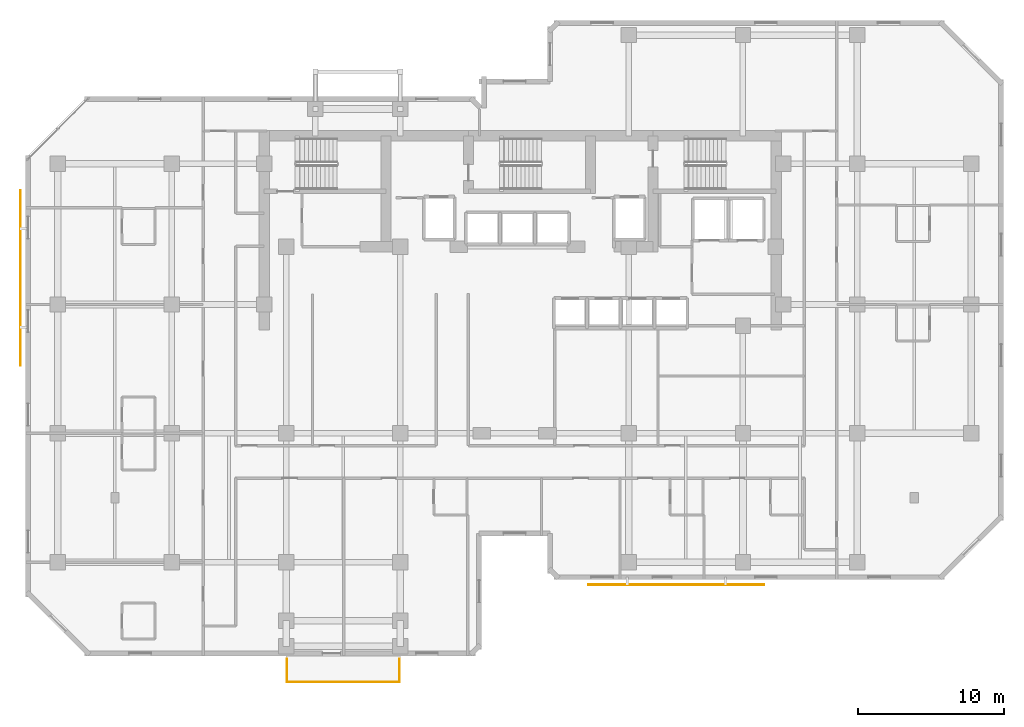
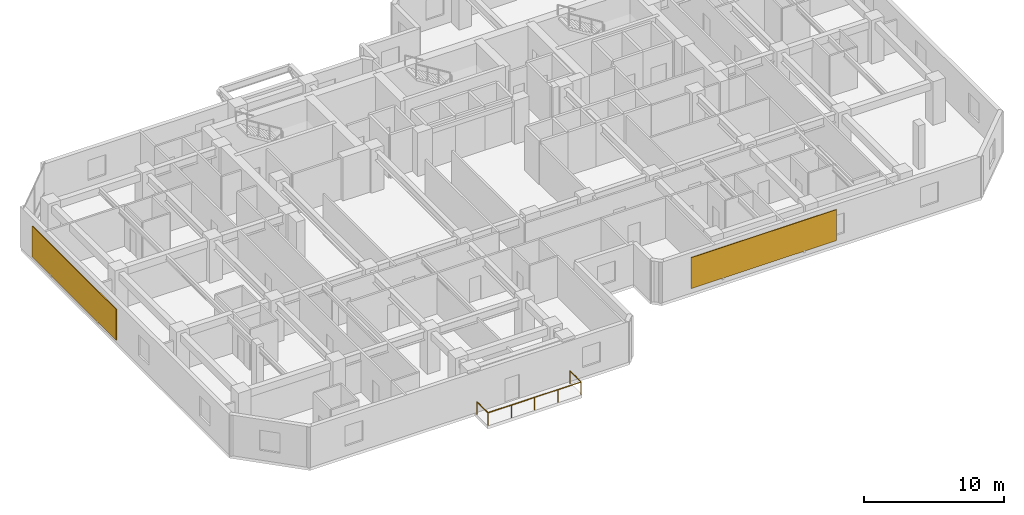
# One storey, part 10 of 11: 2 railings, 2 shading devices.
"""IFC4 building model written with IfcOpenShell, lengths in metres."""

import ifcopenshell
import ifcopenshell.guid

model = None  # the IFC model being written
_history = None  # IfcOwnerHistory: only IFC2X3 demands one
_inside = {}  # id of a spatial element -> (the spatial element, [elements in it])
_under = {}  # id of a project, library or spatial element -> (it, [spatial elements below it])
_declared = {}  # id of a project -> (the project, [libraries it declares])
_typed = {}  # id of a type object -> (the type object, [elements of that type])
_made_of = {}  # id of a material, layer set ... -> (it, [elements and type objects made of it])


def new_model(schema):
    """Start an empty IFC model of exactly this schema.

    Asked for "IFC4X3", IfcOpenShell would pick the latest addendum, in which some entities
    have other attributes; the version numbers below select the first issue.
    IFC2X3 requires an IfcOwnerHistory on every rooted entity: one is made here for all.
    """
    global model, _history
    if schema == "IFC4X3":
        model = ifcopenshell.file(schema_version=(4, 3, 0, 0))
    else:
        model = ifcopenshell.file(schema=schema)
    _inside.clear()
    _under.clear()
    _declared.clear()
    _typed.clear()
    _made_of.clear()
    _history = None
    if model.schema == "IFC2X3":
        org = make("IfcOrganization", Name="unknown")
        user = make(
            "IfcPersonAndOrganization",
            ThePerson=make("IfcPerson", FamilyName="unknown"),
            TheOrganization=org,
        )
        app = make(
            "IfcApplication",
            ApplicationDeveloper=org,
            Version="unknown",
            ApplicationFullName="unknown",
            ApplicationIdentifier="unknown",
        )
        _history = make(
            "IfcOwnerHistory",
            OwningUser=user,
            OwningApplication=app,
            ChangeAction="ADDED",
            CreationDate=0,
        )
    return model


def make(cls, **values):
    """One entity of the class cls with the attributes given. An attribute that is None is left unset."""
    return model.create_entity(
        cls, **{name: value for name, value in values.items() if value is not None}
    )


def rooted(cls, **values):
    """An entity with a GlobalId (a new one), such as an element, a storey or a relation."""
    return make(cls, GlobalId=ifcopenshell.guid.new(), OwnerHistory=_history, **values)


def si_unit(unit_type, name, prefix=None):
    """IfcSIUnit, for example si_unit("LENGTHUNIT", "METRE", prefix="MILLI")."""
    return make("IfcSIUnit", UnitType=unit_type, Prefix=prefix, Name=name)


def assignment(units):
    """IfcUnitAssignment: the units of a project."""
    return None if units is None else make("IfcUnitAssignment", Units=units)


def point(xyz):
    """IfcCartesianPoint."""
    return None if xyz is None else make("IfcCartesianPoint", Coordinates=xyz)


def direction(xyz):
    """IfcDirection."""
    return None if xyz is None else make("IfcDirection", DirectionRatios=xyz)


def frame(location, z_axis=None, x_axis=None):
    """IfcAxis2Placement3D, a coordinate frame: its origin and axes. An axis left out is left unset."""
    return make(
        "IfcAxis2Placement3D",
        Location=point(location),
        Axis=direction(z_axis),
        RefDirection=direction(x_axis),
    )


def frame_2d(location, x_axis=None):
    """IfcAxis2Placement2D, a coordinate frame in the plane: its origin and x axis."""
    return make(
        "IfcAxis2Placement2D", Location=point(location), RefDirection=direction(x_axis)
    )


def origin():
    """The frame at (0, 0, 0) with its axes left unset."""
    return frame((0.0, 0.0, 0.0))


def origin_2d():
    """The frame at (0, 0) in the plane with its x axis left unset."""
    return frame_2d((0.0, 0.0))


def place(relative_to, where):
    """IfcLocalPlacement: puts the frame where relative to a parent placement (None: the world)."""
    return make(
        "IfcLocalPlacement", PlacementRelTo=relative_to, RelativePlacement=where
    )


def context(
    kind, dimensions, precision=None, world=None, true_north=None, identifier=None
):
    """IfcGeometricRepresentationContext, for example the 3D "Model" context."""
    return make(
        "IfcGeometricRepresentationContext",
        ContextIdentifier=identifier,
        ContextType=kind,
        CoordinateSpaceDimension=dimensions,
        Precision=precision,
        WorldCoordinateSystem=world,
        TrueNorth=true_north,
    )


def subcontext(parent, identifier, kind, view, scale=None):
    """IfcGeometricRepresentationSubContext, for example "Body" below "Model"."""
    return make(
        "IfcGeometricRepresentationSubContext",
        ContextIdentifier=identifier,
        ContextType=kind,
        ParentContext=parent,
        TargetScale=scale,
        TargetView=view,
    )


def project(units=None, contexts=None):
    """IfcProject with its units and contexts."""
    return rooted(
        "IfcProject",
        Name="project",
        RepresentationContexts=contexts,
        UnitsInContext=assignment(units),
    )


def spatial(cls, under=None, at=None, **own):
    """A site, building, storey or space (cls), placed at a placement, below another one or the project."""
    s = rooted(cls, ObjectPlacement=at, **own)
    if under is not None:
        _under.setdefault(under.id(), (under, []))[1].append(s)
    return s


def profile(cls, at=None, kind="AREA", **sizes):
    """A parametric profile (cls). Its sizes go by their IFC names, for example OverallWidth=200.0."""
    return make(cls, ProfileType=kind, Position=at, **sizes)


def rectangle(**sizes):
    """IfcRectangleProfileDef."""
    return profile("IfcRectangleProfileDef", **sizes)


def circle(**sizes):
    """IfcCircleProfileDef."""
    return profile("IfcCircleProfileDef", **sizes)


def extrude(swept, where, along, depth):
    """IfcExtrudedAreaSolid: the profile swept, set in the frame where, extruded along a direction by depth."""
    return make(
        "IfcExtrudedAreaSolid",
        SweptArea=swept,
        Position=where,
        ExtrudedDirection=direction(along),
        Depth=depth,
    )


def shape(context_of_items, identifier, shape_type, items):
    """IfcShapeRepresentation: the items that make up one representation, for example the "Body"."""
    return make(
        "IfcShapeRepresentation",
        ContextOfItems=context_of_items,
        RepresentationIdentifier=identifier,
        RepresentationType=shape_type,
        Items=items,
    )


def material(Name=None, Category=None):
    """IfcMaterial."""
    return make("IfcMaterial", Name=Name, Category=Category)


def layer(
    of_material, thickness, ventilated=None, Name=None, Category=None, Priority=None
):
    """IfcMaterialLayer: one layer of a wall or slab, of a material (None: an air gap)."""
    return make(
        "IfcMaterialLayer",
        Material=of_material,
        LayerThickness=thickness,
        IsVentilated=ventilated,
        Name=Name,
        Category=Category,
        Priority=Priority,
    )


def layer_set(layers, Name=None):
    """IfcMaterialLayerSet."""
    return make("IfcMaterialLayerSet", MaterialLayers=layers, LayerSetName=Name)


def made_of(thing, what):
    """Note that an element or type object is made of a material, layer set ...; save() writes the relation."""
    if what is not None:
        _made_of.setdefault(what.id(), (what, []))[1].append(thing)
    return thing


def type_object(cls, material=None, **own):
    """A type object (cls), such as IfcWallType, which elements share."""
    return made_of(rooted(cls, **own), material)


def element(
    cls,
    number,
    at=None,
    inside=None,
    cuts=None,
    type_object=None,
    material=None,
    context=None,
    identifier="Body",
    shape_type=None,
    held_by="IfcProductDefinitionShape",
    body=None,
    shapes=None,
    **own,
):
    """One element of the class cls, such as IfcWall. Its Tag is "e" and its number.

    at: its placement. inside: the storey or other place that contains it. cuts: it is an
    opening in that element (IfcRelVoidsElement). A single representation is given by context,
    identifier, shape_type and body (its items); several are given by shapes. held_by: the class
    of the entity that holds the representations. save() writes the other relations.
    """
    e = rooted(cls, Tag="e%d" % number, ObjectPlacement=at, **own)
    if body is not None:
        shapes = [shape(context, identifier, shape_type, body)]
    if shapes is not None:
        e.Representation = make(held_by, Representations=shapes)
    if inside is not None:
        _inside.setdefault(inside.id(), (inside, []))[1].append(e)
    if cuts is not None:
        rooted(
            "IfcRelVoidsElement", RelatingBuildingElement=cuts, RelatedOpeningElement=e
        )
    if type_object is not None:
        _typed.setdefault(type_object.id(), (type_object, []))[1].append(e)
    return made_of(e, material)


def aggregate(whole, parts):
    """IfcRelAggregates: a whole, such as a stair, and the parts it consists of."""
    return rooted("IfcRelAggregates", RelatingObject=whole, RelatedObjects=parts)


def save(model, path):
    """Write the relations noted so far, then the file.

    IfcRelAggregates (storeys below a building ...), IfcRelContainedInSpatialStructure (elements
    in a storey), IfcRelDefinesByType, IfcRelAssociatesMaterial and IfcRelDeclares: one each for
    every whole, place, type object, material and project.
    """
    for whole, parts in _under.values():
        aggregate(whole, parts)
    for where, things in _inside.values():
        rooted(
            "IfcRelContainedInSpatialStructure",
            RelatedElements=things,
            RelatingStructure=where,
        )
    for kind, things in _typed.values():
        rooted("IfcRelDefinesByType", RelatedObjects=things, RelatingType=kind)
    for what, things in _made_of.values():
        rooted("IfcRelAssociatesMaterial", RelatedObjects=things, RelatingMaterial=what)
    for by, libraries in _declared.values():
        rooted("IfcRelDeclares", RelatingContext=by, RelatedDefinitions=libraries)
    model.write(path)


model = new_model("IFC4")

# Units and contexts
model_context = context("Model", 3, precision=1e-05, world=origin(), true_north=direction((0.0, 1.0)))
body_context = subcontext(model_context, "Body", "Model", "MODEL_VIEW")
ifc_project = project(units=[si_unit("LENGTHUNIT", "METRE"), si_unit("AREAUNIT", "SQUARE_METRE"), si_unit("VOLUMEUNIT", "CUBIC_METRE"), si_unit("PLANEANGLEUNIT", "RADIAN"), si_unit("MASSUNIT", "GRAM", prefix="KILO")], contexts=[model_context])

# Site, building, storey
site_placement = place(None, origin())
site = spatial("IfcSite", under=ifc_project, at=site_placement, CompositionType="ELEMENT")
building_placement = place(site_placement, origin())
building = spatial("IfcBuilding", under=site, at=building_placement, Name="Kestravale Grand Hotel", CompositionType="ELEMENT")
storey_placement = place(building_placement, frame((0.0, 0.0, 172.60009765625)))
storey = spatial("IfcBuildingStorey", under=building, at=storey_placement, Name="L43", CompositionType="ELEMENT", Elevation=172.60009765625)

# Railings
ifc_material_1 = material(Name="Champagne-bronze stainless steel and laminated glass guard", Category="steel")
railing_type = type_object("IfcRailingType", Name="RL-EXT-1100", PredefinedType="GUARDRAIL", material=ifc_material_1)
railing_1_placement = place(storey_placement, frame((23.4599609375, 3.010009765625, 0.0)))
element("IfcRailing", 1, at=railing_1_placement, inside=storey, type_object=railing_type, Name="L43 outdoor terrace guard 1", PredefinedType="GUARDRAIL", context=body_context, shape_type="SweptSolid", body=[
    extrude(circle(Radius=0.02392578125, at=origin_2d()), frame((0.0, 0.0, 1.09619140625), z_axis=(0.0, 1.0, 0.0), x_axis=(-1.0, 0.0, 0.0)), (0.0, 0.0, 1.0), 1.570068359375),
    extrude(circle(Radius=0.02099609375, at=origin_2d()), origin(), (0.0, 0.0, 1.0), 1.072021484375),
    extrude(circle(Radius=0.02099609375, at=origin_2d()), frame((0.0, 1.570068359375, 0.0)), (0.0, 0.0, 1.0), 1.072021484375),
])
railing_2_placement = place(storey_placement, frame((31.139892578125, 4.580078125, 0.0)))
element("IfcRailing", 2, at=railing_2_placement, inside=storey, type_object=railing_type, Name="L43 outdoor terrace guard 2", PredefinedType="GUARDRAIL", context=body_context, shape_type="SweptSolid", body=[
    extrude(circle(Radius=0.02392578125, at=origin_2d()), frame((0.0, 0.0, 1.09619140625), z_axis=(0.0, -1.0, 0.0), x_axis=(1.0, 0.0, 0.0)), (0.0, 0.0, 1.0), 1.570068359375),
    extrude(circle(Radius=0.02392578125, at=origin_2d()), frame((0.0, -1.570068359375, 1.09619140625), z_axis=(-1.0, 0.0, 0.0), x_axis=(0.0, -1.0, 0.0)), (0.0, 0.0, 1.0), 7.679931640625),
    extrude(circle(Radius=0.02099609375, at=origin_2d()), origin(), (0.0, 0.0, 1.0), 1.072021484375),
    extrude(circle(Radius=0.02099609375, at=origin_2d()), frame((0.0, -1.570068359375, 0.0)), (0.0, 0.0, 1.0), 1.072021484375),
    extrude(circle(Radius=0.02099609375, at=origin_2d()), frame((-1.919921875, -1.570068359375, 0.0)), (0.0, 0.0, 1.0), 1.072021484375),
    extrude(circle(Radius=0.02099609375, at=origin_2d()), frame((-3.83984375, -1.570068359375, 0.0)), (0.0, 0.0, 1.0), 1.072021484375),
    extrude(circle(Radius=0.02099609375, at=origin_2d()), frame((-5.760009765625, -1.570068359375, 0.0)), (0.0, 0.0, 1.0), 1.072021484375),
    extrude(circle(Radius=0.02099609375, at=origin_2d()), frame((-7.679931640625, -1.570068359375, 0.0)), (0.0, 0.0, 1.0), 1.072021484375),
])

# Shading devices
ifc_material_2 = material(Name="Perforated champagne-bronze aluminium and ceramic solar screen", Category="aluminium")
ifc_layer = layer(ifc_material_2, 0.06494140625)
ifc_layer_set = layer_set([ifc_layer], Name="SHD-SCR-CHEV")
shading_device_type = type_object("IfcShadingDeviceType", Name="SHD-SCR-CHEV", PredefinedType="USERDEFINED", material=ifc_layer_set)
for number, where, z_axis, x_axis, name in (
    (3, (50.050048828125, 9.659912109375, 0.69970703125), (0.0, 0.0, 1.0), (1.0, 0.0, 0.0), "L43 Perforated bronze ceramic chevron solar screen SCR-L43-07"),
    (4, (5.260009765625, 30.60009765625, 0.69970703125), (0.0, 0.0, 1.0), (0.0, -1.0, 0.0), "L43 Perforated bronze ceramic chevron solar screen SCR-L43-19"),
):
    element("IfcShadingDevice", number, at=place(storey_placement, frame(where, z_axis=z_axis, x_axis=x_axis)), inside=storey, type_object=shading_device_type, Name=name, ObjectType="SCREEN", PredefinedType="USERDEFINED", context=body_context, shape_type="SweptSolid", body=[
        extrude(rectangle(XDim=12.0, YDim=0.06494140625, at=origin_2d()), origin(), (0.0, 0.0, 1.0), 2.699951171875),
    ])

save(model, "model.ifc")
